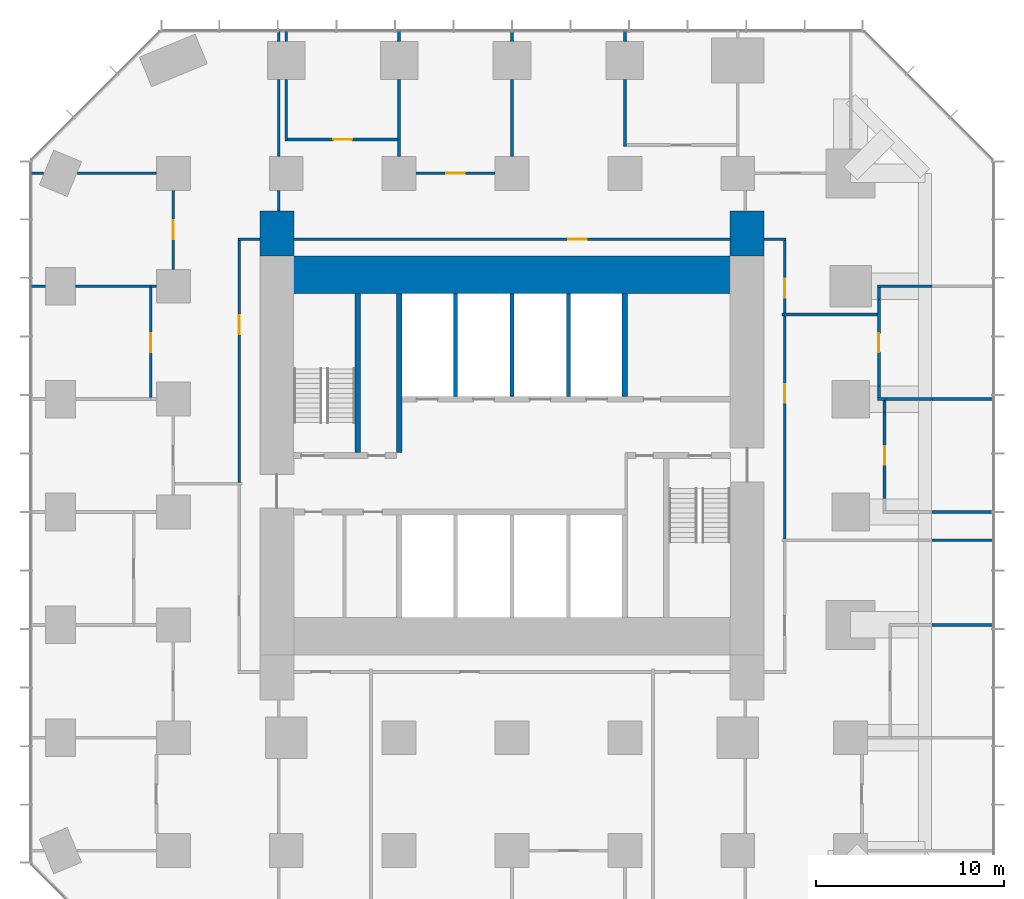
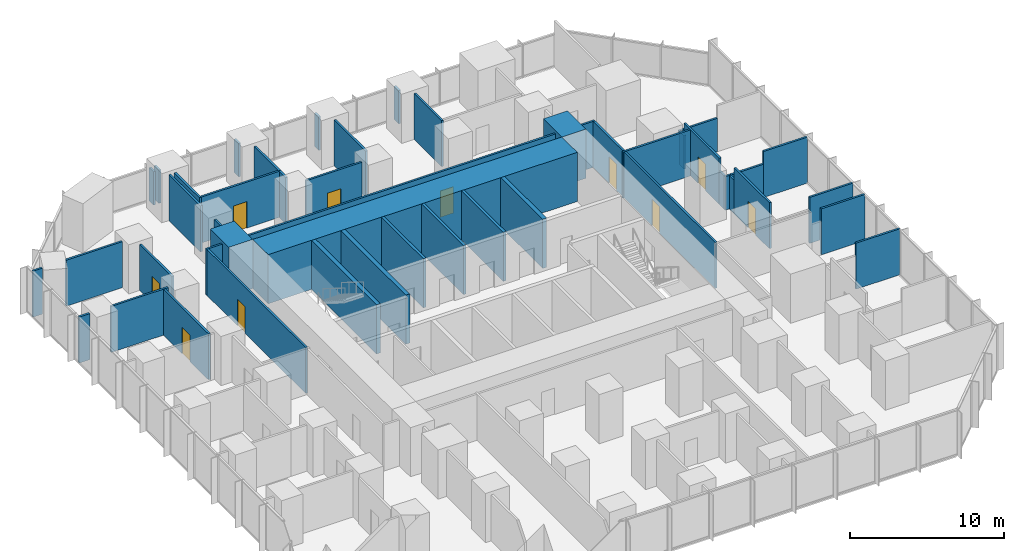
# One storey, part 11 of 13: 49 walls, 10 doors, 10 openings.
"""IFC4 building model written with IfcOpenShell, lengths in metres."""

from ifc_helpers import new_model, si_unit, direction, frame, frame_2d, origin, place, context, subcontext, project, spatial, rectangle, extrude, material, layer, layer_set, type_object, element, fill, save


model = new_model("IFC4")

# Units and contexts
model_context = context("Model", 3, precision=1e-05, world=origin(), true_north=direction((0.0, 1.0)))
body_context = subcontext(model_context, "Body", "Model", "MODEL_VIEW")
ifc_project = project(units=[si_unit("LENGTHUNIT", "METRE"), si_unit("AREAUNIT", "SQUARE_METRE"), si_unit("VOLUMEUNIT", "CUBIC_METRE"), si_unit("PLANEANGLEUNIT", "RADIAN"), si_unit("MASSUNIT", "GRAM", prefix="KILO")], contexts=[model_context])

# Site, building, storey
site_placement = place(None, origin())
site = spatial("IfcSite", under=ifc_project, at=site_placement, CompositionType="ELEMENT")
building_placement = place(site_placement, origin())
building = spatial("IfcBuilding", under=site, at=building_placement, Name="Highveld Stack Headquarters", CompositionType="ELEMENT")
storey_placement = place(building_placement, frame((0.0, 0.0, 61.10009765625)))
storey = spatial("IfcBuildingStorey", under=building, at=storey_placement, Name="L14", CompositionType="ELEMENT", Elevation=61.10009765625)

# Walls
ifc_material_1 = material(Name="Concrete C60/75", Category="concrete")
ifc_layer_1 = layer(ifc_material_1, 2.0)
ifc_layer_set_1 = layer_set([ifc_layer_1], Name="Concrete C60/75")
wall_type_1 = type_object("IfcWallType", Name="CORE WALL 2000 C60/75", PredefinedType="SHEAR", material=ifc_layer_set_1)
wall_1_placement = place(storey_placement, frame((-5.60009765625, 12.60009765625, 0.0), z_axis=(0.0, 0.0, 1.0), x_axis=(1.0, 0.0, 0.0)))
element("IfcWall", 1, at=wall_1_placement, inside=storey, type_object=wall_type_1, Name="Core wall N L14", PredefinedType="SHEAR", context=body_context, shape_type="SweptSolid", body=[
    extrude(rectangle(XDim=23.2001953125, YDim=2.0, at=frame_2d((11.60009765625, 0.0))), origin(), (0.0, 0.0, 1.0), 3.89990234375),
])
ifc_material_2 = material(Name="Concrete C60/75", Category="concrete")
ifc_layer_2 = layer(ifc_material_2, 0.300048828125)
ifc_layer_set_2 = layer_set([ifc_layer_2], Name="Concrete C60/75")
wall_type_2 = type_object("IfcWallType", Name="CORE WALL 300 C60/75", PredefinedType="SHEAR", material=ifc_layer_set_2)
wall_2_placement = place(storey_placement, frame((0.0, 3.14990234375, 0.0), z_axis=(0.0, 0.0, 1.0), x_axis=(0.0, 1.0, 0.0)))
element("IfcWall", 2, at=wall_2_placement, inside=storey, type_object=wall_type_2, Name="Core wall I-X0N L14", PredefinedType="SHEAR", context=body_context, shape_type="SweptSolid", body=[
    extrude(rectangle(XDim=8.4501953125, YDim=0.300048828125, at=frame_2d((4.22509765625, 0.0))), origin(), (0.0, 0.0, 1.0), 3.89990234375),
])
wall_3_placement = place(storey_placement, frame((12.0, 6.14990234375, 0.0), z_axis=(0.0, 0.0, 1.0), x_axis=(0.0, 1.0, 0.0)))
element("IfcWall", 3, at=wall_3_placement, inside=storey, type_object=wall_type_2, Name="Core wall I-X12N L14", PredefinedType="SHEAR", context=body_context, shape_type="SweptSolid", body=[
    extrude(rectangle(XDim=5.4501953125, YDim=0.300048828125, at=frame_2d((2.72509765625, 0.0))), origin(), (0.0, 0.0, 1.0), 3.89990234375),
])
wall_4_placement = place(storey_placement, frame((-2.199951171875, 3.14990234375, 0.0), z_axis=(0.0, 0.0, 1.0), x_axis=(0.0, 1.0, 0.0)))
element("IfcWall", 4, at=wall_4_placement, inside=storey, type_object=wall_type_2, Name="Core wall I-RW L14", PredefinedType="SHEAR", context=body_context, shape_type="SweptSolid", body=[
    extrude(rectangle(XDim=8.4501953125, YDim=0.300048828125, at=frame_2d((4.22509765625, 0.0))), origin(), (0.0, 0.0, 1.0), 3.89990234375),
])
ifc_material_3 = material(Name="Concrete C60/75", Category="concrete")
ifc_layer_3 = layer(ifc_material_3, 1.800048828125)
ifc_layer_set_3 = layer_set([ifc_layer_3], Name="Concrete C60/75")
wall_type_3 = type_object("IfcWallType", Name="CORE WING WALL 1800 C60/75", PredefinedType="SHEAR", material=ifc_layer_set_3)
for number, where, z_axis, x_axis, name in (
    (5, (-6.5, 13.60009765625, 0.0), (0.0, 0.0, 1.0), (0.0, 1.0, 0.0), "Core wing wall WN L14"),
    (6, (18.5, 13.60009765625, 0.0), (0.0, 0.0, 1.0), (0.0, 1.0, 0.0), "Core wing wall EN L14"),
):
    element("IfcWall", number, at=place(storey_placement, frame(where, z_axis=z_axis, x_axis=x_axis)), inside=storey, type_object=wall_type_3, Name=name, PredefinedType="SHEAR", context=body_context, shape_type="SweptSolid", body=[
        extrude(rectangle(XDim=2.39990234375, YDim=1.800048828125, at=frame_2d((1.199951171875, 0.0))), origin(), (0.0, 0.0, 1.0), 3.89990234375),
    ])

# Wall, opening, door
ifc_material_4 = material(Name="Laminated glass in aluminium frame", Category="aluminium")
ifc_layer_4 = layer(ifc_material_4, 0.14990234375)
ifc_layer_set_4 = layer_set([ifc_layer_4], Name="Laminated glass in aluminium frame")
wall_type_4 = type_object("IfcWallType", Name="GLAZED PARTITION 150", PredefinedType="PARTITIONING", material=ifc_layer_set_4)
wall_5_placement = place(storey_placement, frame((-12.0, 12.89990234375, 0.0), z_axis=(0.0, 0.0, 1.0), x_axis=(0.0, 1.0, 0.0)))
wall_5 = element("IfcWall", 7, at=wall_5_placement, inside=storey, type_object=wall_type_4, Name="Glazed partition Meeting room L14", PredefinedType="PARTITIONING", context=body_context, shape_type="SweptSolid", body=[
    extrude(rectangle(XDim=4.2001953125, YDim=0.14990234375, at=frame_2d((2.10009765625, 0.0))), origin(), (0.0, 0.0, 1.0), 3.64990234375),
])
opening_1_placement = place(wall_5_placement, frame((1.60009765625, 0.0, 0.0)))
opening_1 = element("IfcOpeningElement", 8, at=opening_1_placement, cuts=wall_5, Name="Opening L14-16", PredefinedType="OPENING", context=body_context, shape_type="SweptSolid", body=[
    extrude(rectangle(XDim=1.0, YDim=2.10009765625, at=frame_2d((0.5, 1.050048828125))), frame((0.0, 0.0849609375, 0.0), z_axis=(0.0, -1.0, 0.0), x_axis=(1.0, 0.0, 0.0)), (0.0, 0.0, 1.0), 0.169921875),
])
ifc_material_5 = material(Name="Timber door, oiled ash", Category="wood")
door_type = type_object("IfcDoorType", Name="ROOM DOOR D6 1000x2100", OperationType="SINGLE_SWING_LEFT", PredefinedType="DOOR", material=ifc_material_5)
door_1_placement = place(opening_1_placement, origin())
door_1 = element("IfcDoor", 9, at=door_1_placement, inside=storey, type_object=door_type, Name="Meeting room door 1 L14", OperationType="SINGLE_SWING_RIGHT", OverallHeight=2.10009765625, OverallWidth=1.0, PredefinedType="DOOR", context=body_context, shape_type="SweptSolid", body=[
    extrude(rectangle(XDim=1.0, YDim=2.10009765625, at=frame_2d((0.5, 1.050048828125))), frame((0.0, 0.02490234375, 0.0), z_axis=(0.0, -1.0, 0.0), x_axis=(1.0, 0.0, 0.0)), (0.0, 0.0, 1.0), 0.050048828125),
])
fill(opening_1, door_1)

# Walls
ifc_material_6 = material(Name="Concrete blockwork, fair-faced", Category="masonry")
ifc_layer_5 = layer(ifc_material_6, 0.199951171875)
ifc_layer_set_5 = layer_set([ifc_layer_5], Name="Concrete blockwork, fair-faced")
wall_type_5 = type_object("IfcWallType", Name="LIFT SHAFT ENCLOSURE WALL 200 BLOCKWORK", PredefinedType="SOLIDWALL", material=ifc_layer_set_5)
for number, where, z_axis, x_axis, name in (
    (10, (3.0, 6.14990234375, 0.0), (0.0, 0.0, 1.0), (0.0, 1.0, 0.0), "Lift shaft wall L14"),
    (11, (6.0, 6.14990234375, 0.0), (0.0, 0.0, 1.0), (0.0, 1.0, 0.0), "Lift shaft wall L14"),
    (12, (9.0, 6.14990234375, 0.0), (0.0, 0.0, 1.0), (0.0, 1.0, 0.0), "Lift shaft wall L14"),
):
    element("IfcWall", number, at=place(storey_placement, frame(where, z_axis=z_axis, x_axis=x_axis)), inside=storey, type_object=wall_type_5, Name=name, PredefinedType="SOLIDWALL", context=body_context, shape_type="SweptSolid", body=[
        extrude(rectangle(XDim=5.4501953125, YDim=0.199951171875, at=frame_2d((2.72509765625, 0.0))), origin(), (0.0, 0.0, 1.0), 3.89990234375),
    ])
ifc_material_7 = material(Name="Gypsum plasterboard on steel studs", Category="steel")
ifc_layer_6 = layer(ifc_material_7, 0.14990234375)
ifc_layer_set_6 = layer_set([ifc_layer_6], Name="Gypsum plasterboard on steel studs")
wall_type_6 = type_object("IfcWallType", Name="PARTITION 150 PLASTERBOARD", PredefinedType="PARTITIONING", material=ifc_layer_set_6)
wall_6_placement = place(storey_placement, frame((28.31005859375, -6.0, 0.0), z_axis=(0.0, 0.0, 1.0), x_axis=(1.0, 0.0, 0.0)))
element("IfcWall", 13, at=wall_6_placement, inside=storey, type_object=wall_type_6, Name="Partition Focus room L14", PredefinedType="PARTITIONING", context=body_context, shape_type="SweptSolid", body=[
    extrude(rectangle(XDim=3.2900390625, YDim=0.14990234375, at=frame_2d((1.64501953125, 0.0))), origin(), (0.0, 0.0, 1.0), 3.64990234375),
])
wall_7_placement = place(storey_placement, frame((28.31005859375, 0.0, 0.0), z_axis=(0.0, 0.0, 1.0), x_axis=(1.0, 0.0, 0.0)))
element("IfcWall", 14, at=wall_7_placement, inside=storey, type_object=wall_type_6, Name="Partition Print room L14", PredefinedType="PARTITIONING", context=body_context, shape_type="SweptSolid", body=[
    extrude(rectangle(XDim=3.239990234375, YDim=0.14990234375, at=frame_2d((1.6201171875, 0.0))), origin(), (0.0, 0.0, 1.0), 3.64990234375),
])
wall_8_placement = place(storey_placement, frame((25.425048828125, 6.0, 0.0), z_axis=(0.0, 0.0, 1.0), x_axis=(1.0, 0.0, 0.0)))
element("IfcWall", 15, at=wall_8_placement, inside=storey, type_object=wall_type_6, Name="Partition Quiet room L14", PredefinedType="PARTITIONING", context=body_context, shape_type="SweptSolid", body=[
    extrude(rectangle(XDim=0.449951171875, YDim=0.14990234375, at=frame_2d((0.22509765625, 0.0))), origin(), (0.0, 0.0, 1.0), 2.64990234375),
])
wall_9_placement = place(storey_placement, frame((25.800048828125, 6.0, 0.0), z_axis=(0.0, 0.0, 1.0), x_axis=(1.0, 0.0, 0.0)))
element("IfcWall", 16, at=wall_9_placement, inside=storey, type_object=wall_type_6, Name="Partition Print room / Quiet room L14", PredefinedType="PARTITIONING", context=body_context, shape_type="SweptSolid", body=[
    extrude(rectangle(XDim=2.510009765625, YDim=0.14990234375, at=frame_2d((1.2548828125, 0.0))), origin(), (0.0, 0.0, 1.0), 2.64990234375),
])
wall_10_placement = place(storey_placement, frame((28.31005859375, 6.0, 0.0), z_axis=(0.0, 0.0, 1.0), x_axis=(1.0, 0.0, 0.0)))
element("IfcWall", 17, at=wall_10_placement, inside=storey, type_object=wall_type_6, Name="Partition Print room / Quiet room L14", PredefinedType="PARTITIONING", context=body_context, shape_type="SweptSolid", body=[
    extrude(rectangle(XDim=3.2900390625, YDim=0.14990234375, at=frame_2d((1.64501953125, 0.0))), origin(), (0.0, 0.0, 1.0), 3.64990234375),
])
wall_11_placement = place(storey_placement, frame((-19.60009765625, 12.0, 0.0), z_axis=(0.0, 0.0, 1.0), x_axis=(1.0, 0.0, 0.0)))
element("IfcWall", 18, at=wall_11_placement, inside=storey, type_object=wall_type_6, Name="Partition Meeting room / Tea kitchen L14", PredefinedType="PARTITIONING", context=body_context, shape_type="SweptSolid", body=[
    extrude(rectangle(XDim=0.800048828125, YDim=0.14990234375, at=frame_2d((0.39990234375, 0.0))), origin(), (0.0, 0.0, 1.0), 3.64990234375),
])
wall_12_placement = place(storey_placement, frame((-17.199951171875, 12.0, 0.0), z_axis=(0.0, 0.0, 1.0), x_axis=(1.0, 0.0, 0.0)))
element("IfcWall", 19, at=wall_12_placement, inside=storey, type_object=wall_type_6, Name="Partition Meeting room / Tea kitchen L14", PredefinedType="PARTITIONING", context=body_context, shape_type="SweptSolid", body=[
    extrude(rectangle(XDim=4.074951171875, YDim=0.14990234375, at=frame_2d((2.03759765625, 0.0))), origin(), (0.0, 0.0, 1.0), 3.64990234375),
])
wall_13_placement = place(storey_placement, frame((-13.199951171875, 12.0, 0.0), z_axis=(0.0, 0.0, 1.0), x_axis=(1.0, 0.0, 0.0)))
element("IfcWall", 20, at=wall_13_placement, inside=storey, type_object=wall_type_6, Name="Partition Meeting room L14", PredefinedType="PARTITIONING", context=body_context, shape_type="SweptSolid", body=[
    extrude(rectangle(XDim=0.300048828125, YDim=0.14990234375, at=frame_2d((0.14990234375, 0.0))), origin(), (0.0, 0.0, 1.0), 3.64990234375),
])
wall_14_placement = place(storey_placement, frame((25.425048828125, 12.0, 0.0), z_axis=(0.0, 0.0, 1.0), x_axis=(1.0, 0.0, 0.0)))
element("IfcWall", 21, at=wall_14_placement, inside=storey, type_object=wall_type_6, Name="Partition Quiet room L14", PredefinedType="PARTITIONING", context=body_context, shape_type="SweptSolid", body=[
    extrude(rectangle(XDim=2.885009765625, YDim=0.14990234375, at=frame_2d((1.4423828125, 0.0))), origin(), (0.0, 0.0, 1.0), 2.64990234375),
])
wall_15_placement = place(storey_placement, frame((-19.60009765625, 18.0, 0.0), z_axis=(0.0, 0.0, 1.0), x_axis=(1.0, 0.0, 0.0)))
element("IfcWall", 22, at=wall_15_placement, inside=storey, type_object=wall_type_6, Name="Partition Meeting room L14", PredefinedType="PARTITIONING", context=body_context, shape_type="SweptSolid", body=[
    extrude(rectangle(XDim=0.703125, YDim=0.14990234375, at=frame_2d((0.3515625, 0.0))), origin(), (0.0, 0.0, 1.0), 3.64990234375),
])
wall_16_placement = place(storey_placement, frame((-17.10302734375, 18.0, 0.0), z_axis=(0.0, 0.0, 1.0), x_axis=(1.0, 0.0, 0.0)))
element("IfcWall", 23, at=wall_16_placement, inside=storey, type_object=wall_type_6, Name="Partition Meeting room L14", PredefinedType="PARTITIONING", context=body_context, shape_type="SweptSolid", body=[
    extrude(rectangle(XDim=4.203125, YDim=0.14990234375, at=frame_2d((2.1015625, 0.0))), origin(), (0.0, 0.0, 1.0), 3.64990234375),
])

# Wall, opening, door
wall_17_placement = place(storey_placement, frame((0.89990234375, 18.0, 0.0), z_axis=(0.0, 0.0, 1.0), x_axis=(1.0, 0.0, 0.0)))
wall_17 = element("IfcWall", 24, at=wall_17_placement, inside=storey, type_object=wall_type_6, Name="Partition Office L14", PredefinedType="PARTITIONING", context=body_context, shape_type="SweptSolid", body=[
    extrude(rectangle(XDim=4.2001953125, YDim=0.14990234375, at=frame_2d((2.10009765625, 0.0))), origin(), (0.0, 0.0, 1.0), 3.64990234375),
])
opening_2_placement = place(wall_17_placement, frame((1.60009765625, 0.0, 0.0)))
opening_2 = element("IfcOpeningElement", 25, at=opening_2_placement, cuts=wall_17, Name="Opening L14-22", PredefinedType="OPENING", context=body_context, shape_type="SweptSolid", body=[
    extrude(rectangle(XDim=1.0, YDim=2.10009765625, at=frame_2d((0.5, 1.050048828125))), frame((0.0, 0.0849609375, 0.0), z_axis=(0.0, -1.0, 0.0), x_axis=(1.0, 0.0, 0.0)), (0.0, 0.0, 1.0), 0.169921875),
])
door_2_placement = place(opening_2_placement, origin())
door_2 = element("IfcDoor", 26, at=door_2_placement, inside=storey, type_object=door_type, Name="Office door 1 L14", OperationType="SINGLE_SWING_LEFT", OverallHeight=2.10009765625, OverallWidth=1.0, PredefinedType="DOOR", context=body_context, shape_type="SweptSolid", body=[
    extrude(rectangle(XDim=1.0, YDim=2.10009765625, at=frame_2d((0.5, 1.050048828125))), frame((0.0, 0.02490234375, 0.0), z_axis=(0.0, -1.0, 0.0), x_axis=(1.0, 0.0, 0.0)), (0.0, 0.0, 1.0), 0.050048828125),
])
fill(opening_2, door_2)

wall_18_placement = place(storey_placement, frame((-5.925048828125, 19.800048828125, 0.0), z_axis=(0.0, 0.0, 1.0), x_axis=(1.0, 0.0, 0.0)))
wall_18 = element("IfcWall", 27, at=wall_18_placement, inside=storey, type_object=wall_type_6, Name="Partition Print room L14", PredefinedType="PARTITIONING", context=body_context, shape_type="SweptSolid", body=[
    extrude(rectangle(XDim=5.85009765625, YDim=0.14990234375, at=frame_2d((2.925048828125, 0.0))), origin(), (0.0, 0.0, 1.0), 3.64990234375),
])
opening_3_placement = place(wall_18_placement, frame((2.425048828125, 0.0, 0.0)))
opening_3 = element("IfcOpeningElement", 28, at=opening_3_placement, cuts=wall_18, Name="Opening L14-21", PredefinedType="OPENING", context=body_context, shape_type="SweptSolid", body=[
    extrude(rectangle(XDim=1.0, YDim=2.10009765625, at=frame_2d((0.5, 1.050048828125))), frame((0.0, 0.0849609375, 0.0), z_axis=(0.0, -1.0, 0.0), x_axis=(1.0, 0.0, 0.0)), (0.0, 0.0, 1.0), 0.169921875),
])
door_3_placement = place(opening_3_placement, origin())
door_3 = element("IfcDoor", 29, at=door_3_placement, inside=storey, type_object=door_type, Name="Print room door 1 L14", OperationType="SINGLE_SWING_RIGHT", OverallHeight=2.10009765625, OverallWidth=1.0, PredefinedType="DOOR", context=body_context, shape_type="SweptSolid", body=[
    extrude(rectangle(XDim=1.0, YDim=2.10009765625, at=frame_2d((0.5, 1.050048828125))), frame((0.0, 0.02490234375, 0.0), z_axis=(0.0, -1.0, 0.0), x_axis=(1.0, 0.0, 0.0)), (0.0, 0.0, 1.0), 0.050048828125),
])
fill(opening_3, door_3)

wall_19_placement = place(storey_placement, frame((-13.199951171875, 6.074951171875, 0.0), z_axis=(0.0, 0.0, 1.0), x_axis=(0.0, 1.0, 0.0)))
wall_19 = element("IfcWall", 30, at=wall_19_placement, inside=storey, type_object=wall_type_6, Name="Partition Tea kitchen L14", PredefinedType="PARTITIONING", context=body_context, shape_type="SweptSolid", body=[
    extrude(rectangle(XDim=5.85009765625, YDim=0.14990234375, at=frame_2d((2.925048828125, 0.0))), origin(), (0.0, 0.0, 1.0), 3.64990234375),
])
opening_4_placement = place(wall_19_placement, frame((2.425048828125, 0.0, 0.0)))
opening_4 = element("IfcOpeningElement", 31, at=opening_4_placement, cuts=wall_19, Name="Opening L14-15", PredefinedType="OPENING", context=body_context, shape_type="SweptSolid", body=[
    extrude(rectangle(XDim=1.0, YDim=2.10009765625, at=frame_2d((0.5, 1.050048828125))), frame((0.0, 0.0849609375, 0.0), z_axis=(0.0, -1.0, 0.0), x_axis=(1.0, 0.0, 0.0)), (0.0, 0.0, 1.0), 0.169921875),
])
door_4_placement = place(opening_4_placement, origin())
door_4 = element("IfcDoor", 32, at=door_4_placement, inside=storey, type_object=door_type, Name="Tea kitchen door 1 L14", OperationType="SINGLE_SWING_RIGHT", OverallHeight=2.10009765625, OverallWidth=1.0, PredefinedType="DOOR", context=body_context, shape_type="SweptSolid", body=[
    extrude(rectangle(XDim=1.0, YDim=2.10009765625, at=frame_2d((0.5, 1.050048828125))), frame((0.0, 0.02490234375, 0.0), z_axis=(0.0, -1.0, 0.0), x_axis=(1.0, 0.0, 0.0)), (0.0, 0.0, 1.0), 0.050048828125),
])
fill(opening_4, door_4)

# Walls
wall_20_placement = place(storey_placement, frame((-6.0, 19.72509765625, 0.0), z_axis=(0.0, 0.0, 1.0), x_axis=(0.0, 1.0, 0.0)))
element("IfcWall", 33, at=wall_20_placement, inside=storey, type_object=wall_type_6, Name="Partition Print room L14", PredefinedType="PARTITIONING", context=body_context, shape_type="SweptSolid", body=[
    extrude(rectangle(XDim=3.27490234375, YDim=0.14990234375, at=frame_2d((1.637451171875, 0.0))), origin(), (0.0, 0.0, 1.0), 3.64990234375),
])
wall_21_placement = place(storey_placement, frame((-6.0, 25.0, 0.0), z_axis=(0.0, 0.0, 1.0), x_axis=(0.0, 1.0, 0.0)))
element("IfcWall", 34, at=wall_21_placement, inside=storey, type_object=wall_type_6, Name="Partition Print room L14", PredefinedType="PARTITIONING", context=body_context, shape_type="SweptSolid", body=[
    extrude(rectangle(XDim=0.60009765625, YDim=0.14990234375, at=frame_2d((0.300048828125, 0.0))), origin(), (0.0, 0.0, 1.0), 2.64990234375),
])
wall_22_placement = place(storey_placement, frame((0.0, 18.89990234375, 0.0), z_axis=(0.0, 0.0, 1.0), x_axis=(0.0, 1.0, 0.0)))
element("IfcWall", 35, at=wall_22_placement, inside=storey, type_object=wall_type_6, Name="Partition Office L14", PredefinedType="PARTITIONING", context=body_context, shape_type="SweptSolid", body=[
    extrude(rectangle(XDim=0.900146484375, YDim=0.14990234375, at=frame_2d((0.4501953125, 0.0))), origin(), (0.0, 0.0, 1.0), 3.64990234375),
])
wall_23_placement = place(storey_placement, frame((0.0, 19.800048828125, 0.0), z_axis=(0.0, 0.0, 1.0), x_axis=(0.0, 1.0, 0.0)))
element("IfcWall", 36, at=wall_23_placement, inside=storey, type_object=wall_type_6, Name="Partition Office / Print room L14", PredefinedType="PARTITIONING", context=body_context, shape_type="SweptSolid", body=[
    extrude(rectangle(XDim=3.199951171875, YDim=0.14990234375, at=frame_2d((1.60009765625, 0.0))), origin(), (0.0, 0.0, 1.0), 3.64990234375),
])
wall_24_placement = place(storey_placement, frame((0.0, 25.0, 0.0), z_axis=(0.0, 0.0, 1.0), x_axis=(0.0, 1.0, 0.0)))
element("IfcWall", 37, at=wall_24_placement, inside=storey, type_object=wall_type_6, Name="Partition Office / Print room L14", PredefinedType="PARTITIONING", context=body_context, shape_type="SweptSolid", body=[
    extrude(rectangle(XDim=0.60009765625, YDim=0.14990234375, at=frame_2d((0.300048828125, 0.0))), origin(), (0.0, 0.0, 1.0), 2.64990234375),
])
wall_25_placement = place(storey_placement, frame((6.0, 18.89990234375, 0.0), z_axis=(0.0, 0.0, 1.0), x_axis=(0.0, 1.0, 0.0)))
element("IfcWall", 38, at=wall_25_placement, inside=storey, type_object=wall_type_6, Name="Partition Office L14", PredefinedType="PARTITIONING", context=body_context, shape_type="SweptSolid", body=[
    extrude(rectangle(XDim=4.10009765625, YDim=0.14990234375, at=frame_2d((2.050048828125, 0.0))), origin(), (0.0, 0.0, 1.0), 3.64990234375),
])
wall_26_placement = place(storey_placement, frame((6.0, 25.0, 0.0), z_axis=(0.0, 0.0, 1.0), x_axis=(0.0, 1.0, 0.0)))
element("IfcWall", 39, at=wall_26_placement, inside=storey, type_object=wall_type_6, Name="Partition Office L14", PredefinedType="PARTITIONING", context=body_context, shape_type="SweptSolid", body=[
    extrude(rectangle(XDim=0.550048828125, YDim=0.14990234375, at=frame_2d((0.27490234375, 0.0))), origin(), (0.0, 0.0, 1.0), 2.64990234375),
])
wall_27_placement = place(storey_placement, frame((12.0, 19.425048828125, 0.0), z_axis=(0.0, 0.0, 1.0), x_axis=(0.0, 1.0, 0.0)))
element("IfcWall", 40, at=wall_27_placement, inside=storey, type_object=wall_type_6, Name="Partition Quiet room L14", PredefinedType="PARTITIONING", context=body_context, shape_type="SweptSolid", body=[
    extrude(rectangle(XDim=3.574951171875, YDim=0.14990234375, at=frame_2d((1.78759765625, 0.0))), origin(), (0.0, 0.0, 1.0), 3.64990234375),
])
wall_28_placement = place(storey_placement, frame((12.0, 25.0, 0.0), z_axis=(0.0, 0.0, 1.0), x_axis=(0.0, 1.0, 0.0)))
element("IfcWall", 41, at=wall_28_placement, inside=storey, type_object=wall_type_6, Name="Partition Quiet room L14", PredefinedType="PARTITIONING", context=body_context, shape_type="SweptSolid", body=[
    extrude(rectangle(XDim=0.60009765625, YDim=0.14990234375, at=frame_2d((0.300048828125, 0.0))), origin(), (0.0, 0.0, 1.0), 2.64990234375),
])
wall_29_placement = place(storey_placement, frame((25.5, 6.074951171875, 0.0), z_axis=(0.0, 0.0, 1.0), x_axis=(0.0, 1.0, 0.0)))
element("IfcWall", 42, at=wall_29_placement, inside=storey, type_object=wall_type_6, Name="Partition Quiet room L14", PredefinedType="PARTITIONING", context=body_context, shape_type="SweptSolid", body=[
    extrude(rectangle(XDim=0.635009765625, YDim=0.14990234375, at=frame_2d((0.3173828125, 0.0))), origin(), (0.0, 0.0, 1.0), 2.64990234375),
])

# Wall, opening, door
wall_30_placement = place(storey_placement, frame((25.5, 6.7099609375, 0.0), z_axis=(0.0, 0.0, 1.0), x_axis=(0.0, 1.0, 0.0)))
wall_30 = element("IfcWall", 43, at=wall_30_placement, inside=storey, type_object=wall_type_6, Name="Partition Quiet room L14", PredefinedType="PARTITIONING", context=body_context, shape_type="SweptSolid", body=[
    extrude(rectangle(XDim=4.580078125, YDim=0.14990234375, at=frame_2d((2.2900390625, 0.0))), origin(), (0.0, 0.0, 1.0), 3.64990234375),
])
opening_5_placement = place(wall_30_placement, frame((1.7900390625, 0.0, 0.0)))
opening_5 = element("IfcOpeningElement", 44, at=opening_5_placement, cuts=wall_30, Name="Opening L14-20", PredefinedType="OPENING", context=body_context, shape_type="SweptSolid", body=[
    extrude(rectangle(XDim=1.0, YDim=2.10009765625, at=frame_2d((0.5, 1.050048828125))), frame((0.0, 0.0849609375, 0.0), z_axis=(0.0, -1.0, 0.0), x_axis=(1.0, 0.0, 0.0)), (0.0, 0.0, 1.0), 0.169921875),
])
door_5_placement = place(opening_5_placement, origin())
door_5 = element("IfcDoor", 45, at=door_5_placement, inside=storey, type_object=door_type, Name="Quiet room door 1 L14", OperationType="SINGLE_SWING_LEFT", OverallHeight=2.10009765625, OverallWidth=1.0, PredefinedType="DOOR", context=body_context, shape_type="SweptSolid", body=[
    extrude(rectangle(XDim=1.0, YDim=2.10009765625, at=frame_2d((0.5, 1.050048828125))), frame((0.0, 0.02490234375, 0.0), z_axis=(0.0, -1.0, 0.0), x_axis=(1.0, 0.0, 0.0)), (0.0, 0.0, 1.0), 0.050048828125),
])
fill(opening_5, door_5)

# Wall
wall_31_placement = place(storey_placement, frame((25.5, 11.2900390625, 0.0), z_axis=(0.0, 0.0, 1.0), x_axis=(0.0, 1.0, 0.0)))
element("IfcWall", 46, at=wall_31_placement, inside=storey, type_object=wall_type_6, Name="Partition Quiet room L14", PredefinedType="PARTITIONING", context=body_context, shape_type="SweptSolid", body=[
    extrude(rectangle(XDim=0.635009765625, YDim=0.14990234375, at=frame_2d((0.3173828125, 0.0))), origin(), (0.0, 0.0, 1.0), 2.64990234375),
])

# Wall, opening, door
wall_32_placement = place(storey_placement, frame((25.800048828125, 0.7099609375, 0.0), z_axis=(0.0, 0.0, 1.0), x_axis=(0.0, 1.0, 0.0)))
wall_32 = element("IfcWall", 47, at=wall_32_placement, inside=storey, type_object=wall_type_6, Name="Partition Print room L14", PredefinedType="PARTITIONING", context=body_context, shape_type="SweptSolid", body=[
    extrude(rectangle(XDim=4.580078125, YDim=0.14990234375, at=frame_2d((2.2900390625, 0.0))), origin(), (0.0, 0.0, 1.0), 3.64990234375),
])
opening_6_placement = place(wall_32_placement, frame((1.7900390625, 0.0, 0.0)))
opening_6 = element("IfcOpeningElement", 48, at=opening_6_placement, cuts=wall_32, Name="Opening L14-19", PredefinedType="OPENING", context=body_context, shape_type="SweptSolid", body=[
    extrude(rectangle(XDim=1.0, YDim=2.10009765625, at=frame_2d((0.5, 1.050048828125))), frame((0.0, 0.0849609375, 0.0), z_axis=(0.0, -1.0, 0.0), x_axis=(1.0, 0.0, 0.0)), (0.0, 0.0, 1.0), 0.169921875),
])
door_6_placement = place(opening_6_placement, origin())
door_6 = element("IfcDoor", 49, at=door_6_placement, inside=storey, type_object=door_type, Name="Print room door 1 L14", OperationType="SINGLE_SWING_LEFT", OverallHeight=2.10009765625, OverallWidth=1.0, PredefinedType="DOOR", context=body_context, shape_type="SweptSolid", body=[
    extrude(rectangle(XDim=1.0, YDim=2.10009765625, at=frame_2d((0.5, 1.050048828125))), frame((0.0, 0.02490234375, 0.0), z_axis=(0.0, -1.0, 0.0), x_axis=(1.0, 0.0, 0.0)), (0.0, 0.0, 1.0), 0.050048828125),
])
fill(opening_6, door_6)

# Wall
wall_33_placement = place(storey_placement, frame((25.800048828125, 5.2900390625, 0.0), z_axis=(0.0, 0.0, 1.0), x_axis=(0.0, 1.0, 0.0)))
element("IfcWall", 50, at=wall_33_placement, inside=storey, type_object=wall_type_6, Name="Partition Print room L14", PredefinedType="PARTITIONING", context=body_context, shape_type="SweptSolid", body=[
    extrude(rectangle(XDim=0.635009765625, YDim=0.14990234375, at=frame_2d((0.3173828125, 0.0))), origin(), (0.0, 0.0, 1.0), 2.64990234375),
])

# Wall, opening, door
wall_34_placement = place(storey_placement, frame((-8.5, 1.574951171875, 0.0), z_axis=(0.0, 0.0, 1.0), x_axis=(0.0, 1.0, 0.0)))
wall_34 = element("IfcWall", 51, at=wall_34_placement, inside=storey, type_object=wall_type_6, Name="Partition office neighbourhood L14", PredefinedType="PARTITIONING", context=body_context, shape_type="SweptSolid", body=[
    extrude(rectangle(XDim=12.85009765625, YDim=0.14990234375, at=frame_2d((6.425048828125, 0.0))), origin(), (0.0, 0.0, 1.0), 3.64990234375),
])
opening_7_placement = place(wall_34_placement, frame((7.875, 0.0, 0.0)))
opening_7 = element("IfcOpeningElement", 52, at=opening_7_placement, cuts=wall_34, Name="Opening L14-28", PredefinedType="OPENING", context=body_context, shape_type="SweptSolid", body=[
    extrude(rectangle(XDim=1.0, YDim=2.10009765625, at=frame_2d((0.5, 1.050048828125))), frame((0.0, 0.0849609375, 0.0), z_axis=(0.0, -1.0, 0.0), x_axis=(1.0, 0.0, 0.0)), (0.0, 0.0, 1.0), 0.169921875),
])
door_7_placement = place(opening_7_placement, origin())
door_7 = element("IfcDoor", 53, at=door_7_placement, inside=storey, type_object=door_type, Name="Office neighbourhood door L14", OperationType="SINGLE_SWING_RIGHT", OverallHeight=2.10009765625, OverallWidth=1.0, PredefinedType="DOOR", context=body_context, shape_type="SweptSolid", body=[
    extrude(rectangle(XDim=1.0, YDim=2.10009765625, at=frame_2d((0.5, 1.050048828125))), frame((0.0, 0.02490234375, 0.0), z_axis=(0.0, -1.0, 0.0), x_axis=(1.0, 0.0, 0.0)), (0.0, 0.0, 1.0), 0.050048828125),
])
fill(opening_7, door_7)

# Walls
wall_35_placement = place(storey_placement, frame((-8.574951171875, 14.5, 0.0), z_axis=(0.0, 0.0, 1.0), x_axis=(1.0, 0.0, 0.0)))
element("IfcWall", 54, at=wall_35_placement, inside=storey, type_object=wall_type_6, Name="Partition office neighbourhood L14", PredefinedType="PARTITIONING", context=body_context, shape_type="SweptSolid", body=[
    extrude(rectangle(XDim=1.175048828125, YDim=0.14990234375, at=frame_2d((0.58740234375, 0.0))), origin(), (0.0, 0.0, 1.0), 3.64990234375),
])
wall_36_placement = place(storey_placement, frame((-6.39990234375, 16.0, 0.0), z_axis=(0.0, 0.0, 1.0), x_axis=(0.0, 1.0, 0.0)))
element("IfcWall", 55, at=wall_36_placement, inside=storey, type_object=wall_type_6, Name="Partition office neighbourhood L14", PredefinedType="PARTITIONING", context=body_context, shape_type="SweptSolid", body=[
    extrude(rectangle(XDim=1.10009765625, YDim=0.14990234375, at=frame_2d((0.550048828125, 0.0))), origin(), (0.0, 0.0, 1.0), 3.64990234375),
])
wall_37_placement = place(storey_placement, frame((-6.39990234375, 18.89990234375, 0.0), z_axis=(0.0, 0.0, 1.0), x_axis=(0.0, 1.0, 0.0)))
element("IfcWall", 56, at=wall_37_placement, inside=storey, type_object=wall_type_6, Name="Partition office neighbourhood L14", PredefinedType="PARTITIONING", context=body_context, shape_type="SweptSolid", body=[
    extrude(rectangle(XDim=4.10009765625, YDim=0.14990234375, at=frame_2d((2.050048828125, 0.0))), origin(), (0.0, 0.0, 1.0), 3.64990234375),
])
wall_38_placement = place(storey_placement, frame((-6.39990234375, 25.0, 0.0), z_axis=(0.0, 0.0, 1.0), x_axis=(0.0, 1.0, 0.0)))
element("IfcWall", 57, at=wall_38_placement, inside=storey, type_object=wall_type_6, Name="Partition office neighbourhood L14", PredefinedType="PARTITIONING", context=body_context, shape_type="SweptSolid", body=[
    extrude(rectangle(XDim=0.550048828125, YDim=0.14990234375, at=frame_2d((0.27490234375, 0.0))), origin(), (0.0, 0.0, 1.0), 2.64990234375),
])

# Wall, opening, door
wall_39_placement = place(storey_placement, frame((-5.60009765625, 14.5, 0.0), z_axis=(0.0, 0.0, 1.0), x_axis=(1.0, 0.0, 0.0)))
wall_39 = element("IfcWall", 58, at=wall_39_placement, inside=storey, type_object=wall_type_6, Name="Partition office neighbourhood L14", PredefinedType="PARTITIONING", context=body_context, shape_type="SweptSolid", body=[
    extrude(rectangle(XDim=23.2001953125, YDim=0.14990234375, at=frame_2d((11.60009765625, 0.0))), origin(), (0.0, 0.0, 1.0), 3.64990234375),
])
opening_8_placement = place(wall_39_placement, frame((14.580078125, 0.0, 0.0)))
opening_8 = element("IfcOpeningElement", 59, at=opening_8_placement, cuts=wall_39, Name="Opening L14-33", PredefinedType="OPENING", context=body_context, shape_type="SweptSolid", body=[
    extrude(rectangle(XDim=1.0, YDim=2.10009765625, at=frame_2d((0.5, 1.050048828125))), frame((0.0, 0.0849609375, 0.0), z_axis=(0.0, -1.0, 0.0), x_axis=(1.0, 0.0, 0.0)), (0.0, 0.0, 1.0), 0.169921875),
])
door_8_placement = place(opening_8_placement, origin())
door_8 = element("IfcDoor", 60, at=door_8_placement, inside=storey, type_object=door_type, Name="Office neighbourhood door L14", OperationType="SINGLE_SWING_RIGHT", OverallHeight=2.10009765625, OverallWidth=1.0, PredefinedType="DOOR", context=body_context, shape_type="SweptSolid", body=[
    extrude(rectangle(XDim=1.0, YDim=2.10009765625, at=frame_2d((0.5, 1.050048828125))), frame((0.0, 0.02490234375, 0.0), z_axis=(0.0, -1.0, 0.0), x_axis=(1.0, 0.0, 0.0)), (0.0, 0.0, 1.0), 0.050048828125),
])
fill(opening_8, door_8)

# Wall
wall_40_placement = place(storey_placement, frame((19.39990234375, 14.5, 0.0), z_axis=(0.0, 0.0, 1.0), x_axis=(1.0, 0.0, 0.0)))
element("IfcWall", 61, at=wall_40_placement, inside=storey, type_object=wall_type_6, Name="Partition office neighbourhood L14", PredefinedType="PARTITIONING", context=body_context, shape_type="SweptSolid", body=[
    extrude(rectangle(XDim=1.175048828125, YDim=0.14990234375, at=frame_2d((0.58740234375, 0.0))), origin(), (0.0, 0.0, 1.0), 3.64990234375),
])

# Wall, opening, door
wall_41_placement = place(storey_placement, frame((20.5, -1.425048828125, 0.0), z_axis=(0.0, 0.0, 1.0), x_axis=(0.0, 1.0, 0.0)))
wall_41 = element("IfcWall", 62, at=wall_41_placement, inside=storey, type_object=wall_type_6, Name="Partition office neighbourhood L14", PredefinedType="PARTITIONING", context=body_context, shape_type="SweptSolid", body=[
    extrude(rectangle(XDim=11.85009765625, YDim=0.14990234375, at=frame_2d((5.925048828125, 0.0))), origin(), (0.0, 0.0, 1.0), 3.64990234375),
])
opening_9_placement = place(wall_41_placement, frame((7.22509765625, 0.0, 0.0)))
opening_9 = element("IfcOpeningElement", 63, at=opening_9_placement, cuts=wall_41, Name="Opening L14-27", PredefinedType="OPENING", context=body_context, shape_type="SweptSolid", body=[
    extrude(rectangle(XDim=1.0, YDim=2.10009765625, at=frame_2d((0.5, 1.050048828125))), frame((0.0, 0.0849609375, 0.0), z_axis=(0.0, -1.0, 0.0), x_axis=(1.0, 0.0, 0.0)), (0.0, 0.0, 1.0), 0.169921875),
])
door_9_placement = place(opening_9_placement, origin())
door_9 = element("IfcDoor", 64, at=door_9_placement, inside=storey, type_object=door_type, Name="Office neighbourhood door L14", OperationType="SINGLE_SWING_RIGHT", OverallHeight=2.10009765625, OverallWidth=1.0, PredefinedType="DOOR", context=body_context, shape_type="SweptSolid", body=[
    extrude(rectangle(XDim=1.0, YDim=2.10009765625, at=frame_2d((0.5, 1.050048828125))), frame((0.0, 0.02490234375, 0.0), z_axis=(0.0, -1.0, 0.0), x_axis=(1.0, 0.0, 0.0)), (0.0, 0.0, 1.0), 0.050048828125),
])
fill(opening_9, door_9)

# Wall
wall_42_placement = place(storey_placement, frame((28.31005859375, -1.5, 0.0), z_axis=(0.0, 0.0, 1.0), x_axis=(1.0, 0.0, 0.0)))
element("IfcWall", 65, at=wall_42_placement, inside=storey, type_object=wall_type_6, Name="Partition office neighbourhood L14", PredefinedType="PARTITIONING", context=body_context, shape_type="SweptSolid", body=[
    extrude(rectangle(XDim=3.2900390625, YDim=0.14990234375, at=frame_2d((1.64501953125, 0.0))), origin(), (0.0, 0.0, 1.0), 3.64990234375),
])

# Wall, opening, door
wall_43_placement = place(storey_placement, frame((20.5, 10.574951171875, 0.0), z_axis=(0.0, 0.0, 1.0), x_axis=(0.0, 1.0, 0.0)))
wall_43 = element("IfcWall", 66, at=wall_43_placement, inside=storey, type_object=wall_type_6, Name="Partition office neighbourhood L14", PredefinedType="PARTITIONING", context=body_context, shape_type="SweptSolid", body=[
    extrude(rectangle(XDim=3.85009765625, YDim=0.14990234375, at=frame_2d((1.925048828125, 0.0))), origin(), (0.0, 0.0, 1.0), 3.64990234375),
])
opening_10_placement = place(wall_43_placement, frame((0.824951171875, 0.0, 0.0)))
opening_10 = element("IfcOpeningElement", 67, at=opening_10_placement, cuts=wall_43, Name="Opening L14-29", PredefinedType="OPENING", context=body_context, shape_type="SweptSolid", body=[
    extrude(rectangle(XDim=1.0, YDim=2.10009765625, at=frame_2d((0.5, 1.050048828125))), frame((0.0, 0.0849609375, 0.0), z_axis=(0.0, -1.0, 0.0), x_axis=(1.0, 0.0, 0.0)), (0.0, 0.0, 1.0), 0.169921875),
])
door_10_placement = place(opening_10_placement, origin())
door_10 = element("IfcDoor", 68, at=door_10_placement, inside=storey, type_object=door_type, Name="Office neighbourhood door L14", OperationType="SINGLE_SWING_LEFT", OverallHeight=2.10009765625, OverallWidth=1.0, PredefinedType="DOOR", context=body_context, shape_type="SweptSolid", body=[
    extrude(rectangle(XDim=1.0, YDim=2.10009765625, at=frame_2d((0.5, 1.050048828125))), frame((0.0, 0.02490234375, 0.0), z_axis=(0.0, -1.0, 0.0), x_axis=(1.0, 0.0, 0.0)), (0.0, 0.0, 1.0), 0.050048828125),
])
fill(opening_10, door_10)

# Wall
wall_44_placement = place(storey_placement, frame((20.35009765625, 10.5, 0.0), z_axis=(0.0, 0.0, 1.0), x_axis=(1.0, 0.0, 0.0)))
element("IfcWall", 69, at=wall_44_placement, inside=storey, type_object=wall_type_6, Name="Partition office neighbourhood L14", PredefinedType="PARTITIONING", context=body_context, shape_type="SweptSolid", body=[
    extrude(rectangle(XDim=5.074951171875, YDim=0.14990234375, at=frame_2d((2.53759765625, 0.0))), origin(), (0.0, 0.0, 1.0), 3.64990234375),
])

save(model, "model.ifc")
